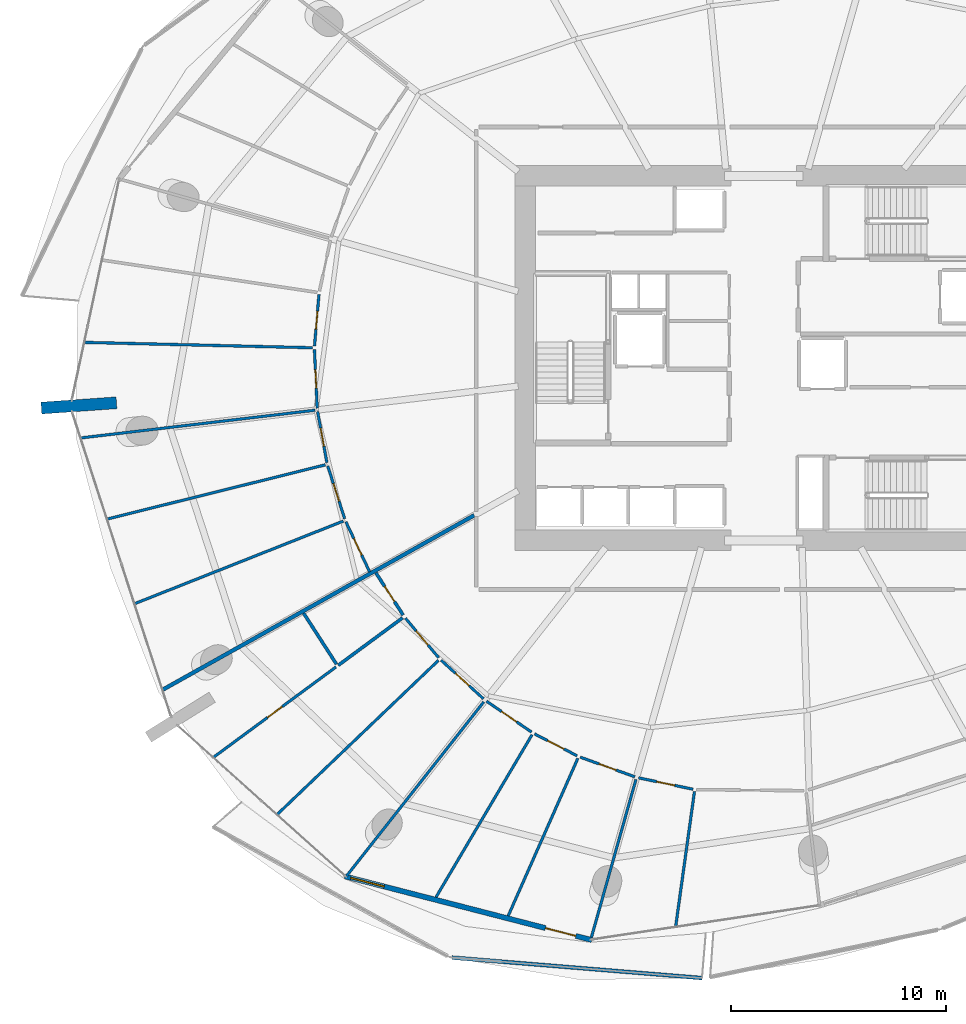
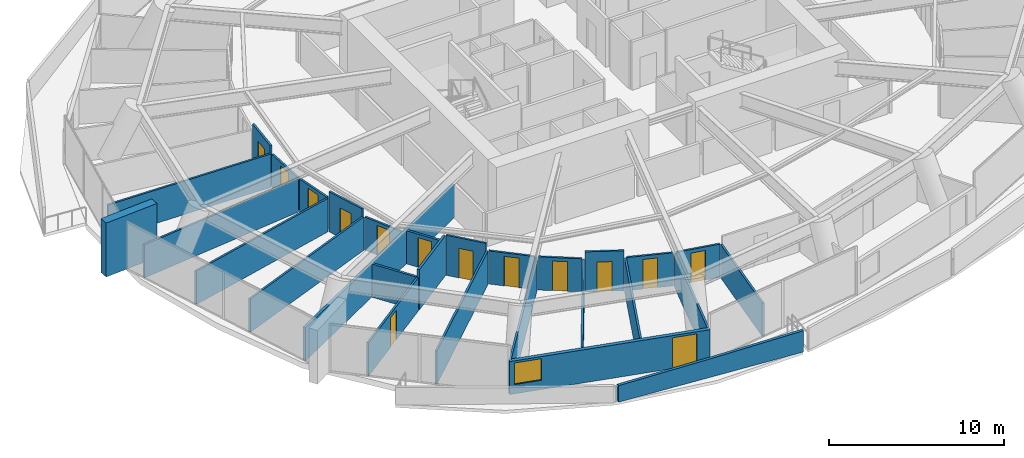
# One storey, part 18 of 31: 29 walls, 14 doors, 1 window, 15 openings.
"""IFC4 building model written with IfcOpenShell, lengths in metres."""

import ifcopenshell
import ifcopenshell.guid

model = None  # the IFC model being written
_history = None  # IfcOwnerHistory: only IFC2X3 demands one
_inside = {}  # id of a spatial element -> (the spatial element, [elements in it])
_under = {}  # id of a project, library or spatial element -> (it, [spatial elements below it])
_declared = {}  # id of a project -> (the project, [libraries it declares])
_typed = {}  # id of a type object -> (the type object, [elements of that type])
_made_of = {}  # id of a material, layer set ... -> (it, [elements and type objects made of it])


def new_model(schema):
    """Start an empty IFC model of exactly this schema.

    Asked for "IFC4X3", IfcOpenShell would pick the latest addendum, in which some entities
    have other attributes; the version numbers below select the first issue.
    IFC2X3 requires an IfcOwnerHistory on every rooted entity: one is made here for all.
    """
    global model, _history
    if schema == "IFC4X3":
        model = ifcopenshell.file(schema_version=(4, 3, 0, 0))
    else:
        model = ifcopenshell.file(schema=schema)
    _inside.clear()
    _under.clear()
    _declared.clear()
    _typed.clear()
    _made_of.clear()
    _history = None
    if model.schema == "IFC2X3":
        org = make("IfcOrganization", Name="unknown")
        user = make(
            "IfcPersonAndOrganization",
            ThePerson=make("IfcPerson", FamilyName="unknown"),
            TheOrganization=org,
        )
        app = make(
            "IfcApplication",
            ApplicationDeveloper=org,
            Version="unknown",
            ApplicationFullName="unknown",
            ApplicationIdentifier="unknown",
        )
        _history = make(
            "IfcOwnerHistory",
            OwningUser=user,
            OwningApplication=app,
            ChangeAction="ADDED",
            CreationDate=0,
        )
    return model


def make(cls, **values):
    """One entity of the class cls with the attributes given. An attribute that is None is left unset."""
    return model.create_entity(
        cls, **{name: value for name, value in values.items() if value is not None}
    )


def rooted(cls, **values):
    """An entity with a GlobalId (a new one), such as an element, a storey or a relation."""
    return make(cls, GlobalId=ifcopenshell.guid.new(), OwnerHistory=_history, **values)


def si_unit(unit_type, name, prefix=None):
    """IfcSIUnit, for example si_unit("LENGTHUNIT", "METRE", prefix="MILLI")."""
    return make("IfcSIUnit", UnitType=unit_type, Prefix=prefix, Name=name)


def assignment(units):
    """IfcUnitAssignment: the units of a project."""
    return None if units is None else make("IfcUnitAssignment", Units=units)


def point(xyz):
    """IfcCartesianPoint."""
    return None if xyz is None else make("IfcCartesianPoint", Coordinates=xyz)


def direction(xyz):
    """IfcDirection."""
    return None if xyz is None else make("IfcDirection", DirectionRatios=xyz)


def frame(location, z_axis=None, x_axis=None):
    """IfcAxis2Placement3D, a coordinate frame: its origin and axes. An axis left out is left unset."""
    return make(
        "IfcAxis2Placement3D",
        Location=point(location),
        Axis=direction(z_axis),
        RefDirection=direction(x_axis),
    )


def frame_2d(location, x_axis=None):
    """IfcAxis2Placement2D, a coordinate frame in the plane: its origin and x axis."""
    return make(
        "IfcAxis2Placement2D", Location=point(location), RefDirection=direction(x_axis)
    )


def origin():
    """The frame at (0, 0, 0) with its axes left unset."""
    return frame((0.0, 0.0, 0.0))


def place(relative_to, where):
    """IfcLocalPlacement: puts the frame where relative to a parent placement (None: the world)."""
    return make(
        "IfcLocalPlacement", PlacementRelTo=relative_to, RelativePlacement=where
    )


def context(
    kind, dimensions, precision=None, world=None, true_north=None, identifier=None
):
    """IfcGeometricRepresentationContext, for example the 3D "Model" context."""
    return make(
        "IfcGeometricRepresentationContext",
        ContextIdentifier=identifier,
        ContextType=kind,
        CoordinateSpaceDimension=dimensions,
        Precision=precision,
        WorldCoordinateSystem=world,
        TrueNorth=true_north,
    )


def subcontext(parent, identifier, kind, view, scale=None):
    """IfcGeometricRepresentationSubContext, for example "Body" below "Model"."""
    return make(
        "IfcGeometricRepresentationSubContext",
        ContextIdentifier=identifier,
        ContextType=kind,
        ParentContext=parent,
        TargetScale=scale,
        TargetView=view,
    )


def project(units=None, contexts=None):
    """IfcProject with its units and contexts."""
    return rooted(
        "IfcProject",
        Name="project",
        RepresentationContexts=contexts,
        UnitsInContext=assignment(units),
    )


def spatial(cls, under=None, at=None, **own):
    """A site, building, storey or space (cls), placed at a placement, below another one or the project."""
    s = rooted(cls, ObjectPlacement=at, **own)
    if under is not None:
        _under.setdefault(under.id(), (under, []))[1].append(s)
    return s


def polyline(points):
    """IfcPolyline through the points."""
    return make("IfcPolyline", Points=[point(p) for p in points])


def profile(cls, at=None, kind="AREA", **sizes):
    """A parametric profile (cls). Its sizes go by their IFC names, for example OverallWidth=200.0."""
    return make(cls, ProfileType=kind, Position=at, **sizes)


def rectangle(**sizes):
    """IfcRectangleProfileDef."""
    return profile("IfcRectangleProfileDef", **sizes)


def outline(outer, holes=None, kind="AREA"):
    """IfcArbitraryClosedProfileDef: a profile drawn as a closed curve; with holes, ...WithVoids."""
    if holes is None:
        return make("IfcArbitraryClosedProfileDef", ProfileType=kind, OuterCurve=outer)
    return make(
        "IfcArbitraryProfileDefWithVoids",
        ProfileType=kind,
        OuterCurve=outer,
        InnerCurves=holes,
    )


def extrude(swept, where, along, depth):
    """IfcExtrudedAreaSolid: the profile swept, set in the frame where, extruded along a direction by depth."""
    return make(
        "IfcExtrudedAreaSolid",
        SweptArea=swept,
        Position=where,
        ExtrudedDirection=direction(along),
        Depth=depth,
    )


def shape(context_of_items, identifier, shape_type, items):
    """IfcShapeRepresentation: the items that make up one representation, for example the "Body"."""
    return make(
        "IfcShapeRepresentation",
        ContextOfItems=context_of_items,
        RepresentationIdentifier=identifier,
        RepresentationType=shape_type,
        Items=items,
    )


def material(Name=None, Category=None):
    """IfcMaterial."""
    return make("IfcMaterial", Name=Name, Category=Category)


def layer(
    of_material, thickness, ventilated=None, Name=None, Category=None, Priority=None
):
    """IfcMaterialLayer: one layer of a wall or slab, of a material (None: an air gap)."""
    return make(
        "IfcMaterialLayer",
        Material=of_material,
        LayerThickness=thickness,
        IsVentilated=ventilated,
        Name=Name,
        Category=Category,
        Priority=Priority,
    )


def layer_set(layers, Name=None):
    """IfcMaterialLayerSet."""
    return make("IfcMaterialLayerSet", MaterialLayers=layers, LayerSetName=Name)


def made_of(thing, what):
    """Note that an element or type object is made of a material, layer set ...; save() writes the relation."""
    if what is not None:
        _made_of.setdefault(what.id(), (what, []))[1].append(thing)
    return thing


def type_object(cls, material=None, **own):
    """A type object (cls), such as IfcWallType, which elements share."""
    return made_of(rooted(cls, **own), material)


def element(
    cls,
    number,
    at=None,
    inside=None,
    cuts=None,
    type_object=None,
    material=None,
    context=None,
    identifier="Body",
    shape_type=None,
    held_by="IfcProductDefinitionShape",
    body=None,
    shapes=None,
    **own,
):
    """One element of the class cls, such as IfcWall. Its Tag is "e" and its number.

    at: its placement. inside: the storey or other place that contains it. cuts: it is an
    opening in that element (IfcRelVoidsElement). A single representation is given by context,
    identifier, shape_type and body (its items); several are given by shapes. held_by: the class
    of the entity that holds the representations. save() writes the other relations.
    """
    e = rooted(cls, Tag="e%d" % number, ObjectPlacement=at, **own)
    if body is not None:
        shapes = [shape(context, identifier, shape_type, body)]
    if shapes is not None:
        e.Representation = make(held_by, Representations=shapes)
    if inside is not None:
        _inside.setdefault(inside.id(), (inside, []))[1].append(e)
    if cuts is not None:
        rooted(
            "IfcRelVoidsElement", RelatingBuildingElement=cuts, RelatedOpeningElement=e
        )
    if type_object is not None:
        _typed.setdefault(type_object.id(), (type_object, []))[1].append(e)
    return made_of(e, material)


def fill(opening, filler):
    """IfcRelFillsElement: the door or window that sits in an opening."""
    return rooted(
        "IfcRelFillsElement",
        RelatingOpeningElement=opening,
        RelatedBuildingElement=filler,
    )


def aggregate(whole, parts):
    """IfcRelAggregates: a whole, such as a stair, and the parts it consists of."""
    return rooted("IfcRelAggregates", RelatingObject=whole, RelatedObjects=parts)


def save(model, path):
    """Write the relations noted so far, then the file.

    IfcRelAggregates (storeys below a building ...), IfcRelContainedInSpatialStructure (elements
    in a storey), IfcRelDefinesByType, IfcRelAssociatesMaterial and IfcRelDeclares: one each for
    every whole, place, type object, material and project.
    """
    for whole, parts in _under.values():
        aggregate(whole, parts)
    for where, things in _inside.values():
        rooted(
            "IfcRelContainedInSpatialStructure",
            RelatedElements=things,
            RelatingStructure=where,
        )
    for kind, things in _typed.values():
        rooted("IfcRelDefinesByType", RelatedObjects=things, RelatingType=kind)
    for what, things in _made_of.values():
        rooted("IfcRelAssociatesMaterial", RelatedObjects=things, RelatingMaterial=what)
    for by, libraries in _declared.values():
        rooted("IfcRelDeclares", RelatingContext=by, RelatedDefinitions=libraries)
    model.write(path)


model = new_model("IFC4")

# Units and contexts
model_context = context("Model", 3, precision=1e-05, world=origin(), true_north=direction((0.0, 1.0)))
body_context = subcontext(model_context, "Body", "Model", "MODEL_VIEW")
ifc_project = project(units=[si_unit("LENGTHUNIT", "METRE"), si_unit("AREAUNIT", "SQUARE_METRE"), si_unit("VOLUMEUNIT", "CUBIC_METRE"), si_unit("PLANEANGLEUNIT", "RADIAN"), si_unit("MASSUNIT", "GRAM", prefix="KILO")], contexts=[model_context])

# Site, building, storey
site_placement = place(None, origin())
site = spatial("IfcSite", under=ifc_project, at=site_placement, CompositionType="ELEMENT")
building_placement = place(site_placement, origin())
building = spatial("IfcBuilding", under=site, at=building_placement, Name="Kazma Halo Residences", CompositionType="ELEMENT")
storey_placement = place(building_placement, frame((0.0, 0.0, 71.39990234375)))
storey = spatial("IfcBuildingStorey", under=building, at=storey_placement, Name="L17", CompositionType="ELEMENT", Elevation=71.39990234375)

# Walls
ifc_material_1 = material(Name="White Concrete C50/60 Balustrade", Category="concrete")
ifc_layer_1 = layer(ifc_material_1, 0.179931640625)
ifc_layer_set_1 = layer_set([ifc_layer_1], Name="White Concrete C50/60 Balustrade")
wall_type_1 = type_object("IfcWallType", Name="WL-BAL-WAVE-180", PredefinedType="PARAPET", material=ifc_layer_set_1)
wall_1_placement = place(storey_placement, frame((33.923583984375, 14.12890625, 0.0), z_axis=(0.0, 0.0, 1.0), x_axis=(0.996665753963, -0.081592737892, 0.0)))
element("IfcWall", 1, at=wall_1_placement, inside=storey, type_object=wall_type_1, Name="L17 white wave balustrade wall SW.2", PredefinedType="PARAPET", context=body_context, shape_type="SweptSolid", body=[
    extrude(outline(polyline([(0.0, 0.0), (11.66943359375, 0.0), (11.669677734375, 1.483154296875), (5.8349609375, 1.2841796875), (0.0, 1.148193359375), (0.0, 0.0)])), frame((0.0, 0.08984375, 0.0), z_axis=(0.0, -1.0, 0.0), x_axis=(1.0, 0.0, 0.0)), (0.0, 0.0, 1.0), 0.179931640625),
])
ifc_material_2 = material(Name="Pale Concrete C60/75", Category="concrete")
ifc_layer_2 = layer(ifc_material_2, 0.550048828125)
ifc_layer_set_2 = layer_set([ifc_layer_2], Name="Pale Concrete C60/75")
wall_type_2 = type_object("IfcWallType", Name="WL-BLADE-550", PredefinedType="SOLIDWALL", material=ifc_layer_set_2)
wall_2_placement = place(storey_placement, frame((18.322021484375, 39.9248046875, 0.0), z_axis=(0.0, 0.0, 1.0), x_axis=(-0.997564163539, -0.069754853754, 0.0)))
element("IfcWall", 2, at=wall_2_placement, inside=storey, type_object=wall_type_2, Name="L17 pale concrete structural blade fin wall BW-02", PredefinedType="SOLIDWALL", context=body_context, shape_type="SweptSolid", body=[
    extrude(rectangle(XDim=3.5, YDim=0.550048828125, at=frame_2d((1.75, 0.0))), origin(), (0.0, 0.0, 1.0), 3.75),
])
ifc_material_3 = material(Name="Acoustic Twin-Stud Gypsum")
ifc_layer_3 = layer(ifc_material_3, 0.179931640625)
ifc_layer_set_3 = layer_set([ifc_layer_3], Name="Acoustic Twin-Stud Gypsum")
wall_type_3 = type_object("IfcWallType", Name="WL-DEM-180", PredefinedType="PARTITIONING", material=ifc_layer_set_3)
wall_3_placement = place(storey_placement, frame((34.9541015625, 34.694091796875, 0.0), z_axis=(0.0, 0.0, 1.0), x_axis=(-0.872493465611, -0.488625779577, 0.0)))
element("IfcWall", 3, at=wall_3_placement, inside=storey, type_object=wall_type_3, Name="L17 apartment demising radial wall 08", PredefinedType="PARTITIONING", context=body_context, shape_type="SweptSolid", body=[
    extrude(rectangle(XDim=16.586181640625, YDim=0.179931640625, at=frame_2d((8.29296875, 0.0))), origin(), (0.0, 0.0, 1.0), 2.30712890625),
])

# Wall, openings, door, window
ifc_material_4 = material(Name="Insulated Pale-Metal Composite Wall")
ifc_layer_4 = layer(ifc_material_4, 0.239990234375)
ifc_layer_set_4 = layer_set([ifc_layer_4], Name="Insulated Pale-Metal Composite Wall")
wall_type_4 = type_object("IfcWallType", Name="WL-EXT-HOST-240", PredefinedType="SOLIDWALL", material=ifc_layer_set_4)
wall_4_placement = place(storey_placement, frame((28.94580078125, 17.90380859375, 0.0), z_axis=(0.0, 0.0, 1.0), x_axis=(0.96833871487, -0.249640007378, 0.0)))
wall_4 = element("IfcWall", 4, at=wall_4_placement, inside=storey, type_object=wall_type_4, Name="L17 exterior terrace-access wall B10", PredefinedType="SOLIDWALL", context=body_context, shape_type="SweptSolid", body=[
    extrude(rectangle(XDim=11.85107421875, YDim=0.239990234375, at=frame_2d((5.925537109375, 0.0))), origin(), (0.0, 0.0, 1.0), 2.300048828125),
])
opening_1_placement = place(wall_4_placement, frame((9.631103515625, 0.0, 0.0)))
opening_1 = element("IfcOpeningElement", 5, at=opening_1_placement, cuts=wall_4, Name="Opening DTR-1600", PredefinedType="OPENING", context=body_context, shape_type="SweptSolid", body=[
    extrude(rectangle(XDim=1.449951171875, YDim=2.14990234375, at=frame_2d((0.72509765625, 1.074951171875))), frame((0.0, 0.1298828125, 0.0), z_axis=(0.0, -1.0, 0.0), x_axis=(1.0, 0.0, 0.0)), (0.0, 0.0, 1.0), 0.260009765625),
])
opening_2_placement = place(wall_4_placement, frame((0.280029296875, 0.0, 0.64990234375)))
opening_2 = element("IfcOpeningElement", 6, at=opening_2_placement, cuts=wall_4, Name="Opening W-1800", PredefinedType="OPENING", context=body_context, shape_type="SweptSolid", body=[
    extrude(rectangle(XDim=1.60009765625, YDim=1.5, at=frame_2d((0.800048828125, 0.75))), frame((0.0, 0.1298828125, 0.0), z_axis=(0.0, -1.0, 0.0), x_axis=(1.0, 0.0, 0.0)), (0.0, 0.0, 1.0), 0.260009765625),
])
ifc_material_5 = material(Name="Aluminium AW-6063 T6 Double-Glazed Terrace Door", Category="aluminium")
door_type_1 = type_object("IfcDoorType", Name="DR-EXT-TERR-1600", OperationType="NOTDEFINED", PredefinedType="DOOR", material=ifc_material_5)
door_1_placement = place(opening_1_placement, origin())
door_1 = element("IfcDoor", 7, at=door_1_placement, inside=storey, type_object=door_type_1, Name="L17 B10 balcony terrace door", OperationType="DOUBLE_DOOR_SLIDING", OverallHeight=2.14990234375, OverallWidth=1.449951171875, PredefinedType="DOOR", context=body_context, shape_type="SweptSolid", body=[
    extrude(rectangle(XDim=1.449951171875, YDim=2.14990234375, at=frame_2d((0.72509765625, 1.074951171875))), frame((0.0, 0.02490234375, 0.0), z_axis=(0.0, -1.0, 0.0), x_axis=(1.0, 0.0, 0.0)), (0.0, 0.0, 1.0), 0.050048828125),
])
fill(opening_1, door_1)
ifc_material_6 = material(Name="Clear Triple-Silver Low-E Glass in Aluminium AW-6063 T6 Frame", Category="aluminium")
window_type = type_object("IfcWindowType", Name="WIN-RES-1800", PartitioningType="DOUBLE_PANEL_VERTICAL", PredefinedType="WINDOW", material=ifc_material_6)
window_placement = place(opening_2_placement, origin())
window = element("IfcWindow", 8, at=window_placement, inside=storey, type_object=window_type, Name="L17 B10 apartment window", OverallHeight=1.5, OverallWidth=1.60009765625, PartitioningType="SINGLE_PANEL", PredefinedType="WINDOW", context=body_context, shape_type="SweptSolid", body=[
    extrude(rectangle(XDim=1.60009765625, YDim=1.5, at=frame_2d((0.800048828125, 0.75))), frame((0.0, 0.030029296875, 0.0), z_axis=(0.0, -1.0, 0.0), x_axis=(1.0, 0.0, 0.0)), (0.0, 0.0, 1.0), 0.06005859375),
])
fill(opening_2, window)

# Wall
ifc_material_7 = material(Name="Gypsum Plasterboard Partition")
ifc_layer_5 = layer(ifc_material_7, 0.125)
ifc_layer_set_5 = layer_set([ifc_layer_5], Name="Gypsum Plasterboard Partition")
wall_type_5 = type_object("IfcWallType", Name="WL-PART-125", PredefinedType="PARTITIONING", material=ifc_layer_set_5)
wall_5_placement = place(storey_placement, frame((27.4326171875, 42.484619140625, 0.0), z_axis=(0.0, 0.0, 1.0), x_axis=(-0.999722212563, 0.023568998875, 0.0)))
element("IfcWall", 9, at=wall_5_placement, inside=storey, type_object=wall_type_5, Name="L17 Apartment 1 bay wall 2 6", PredefinedType="PARTITIONING", context=body_context, shape_type="SweptSolid", body=[
    extrude(rectangle(XDim=10.58642578125, YDim=0.125, at=frame_2d((5.293212890625, 0.0))), origin(), (0.0, 0.0, 1.0), 2.3251953125),
])

# Wall, opening, door
wall_6_placement = place(storey_placement, frame((27.73779296875, 44.965576171875, 0.0), z_axis=(0.0, 0.0, 1.0), x_axis=(-0.086328274509, -0.996266745917, 0.0)))
wall_6 = element("IfcWall", 10, at=wall_6_placement, inside=storey, type_object=wall_type_5, Name="L17 Apartment 1 South Study hall wall", PredefinedType="PARTITIONING", context=body_context, shape_type="SweptSolid", body=[
    extrude(rectangle(XDim=2.412353515625, YDim=0.125, at=frame_2d((1.2060546875, 0.0))), origin(), (0.0, 0.0, 1.0), 2.7900390625),
])
opening_3_placement = place(wall_6_placement, frame((0.781005859375, 0.0, 0.0)))
opening_3 = element("IfcOpeningElement", 11, at=opening_3_placement, cuts=wall_6, Name="Opening DB-900", PredefinedType="OPENING", context=body_context, shape_type="SweptSolid", body=[
    extrude(rectangle(XDim=0.85009765625, YDim=2.06005859375, at=frame_2d((0.425048828125, 1.030029296875))), frame((0.0, 0.072509765625, 0.0), z_axis=(0.0, -1.0, 0.0), x_axis=(1.0, 0.0, 0.0)), (0.0, 0.0, 1.0), 0.14501953125),
])
ifc_material_8 = material(Name="Moisture-Sealed Timber Leaf", Category="wood")
door_type_2 = type_object("IfcDoorType", Name="DR-BTH-900", OperationType="NOTDEFINED", PredefinedType="DOOR", material=ifc_material_8)
door_2_placement = place(opening_3_placement, origin())
door_2 = element("IfcDoor", 12, at=door_2_placement, inside=storey, type_object=door_type_2, Name="L17 Apartment 1 South Study door", OperationType="SINGLE_SWING_RIGHT", OverallHeight=2.06005859375, OverallWidth=0.85009765625, PredefinedType="DOOR", context=body_context, shape_type="SweptSolid", body=[
    extrude(rectangle(XDim=0.85009765625, YDim=2.06005859375, at=frame_2d((0.425048828125, 1.030029296875))), frame((0.0, 0.02490234375, 0.0), z_axis=(0.0, -1.0, 0.0), x_axis=(1.0, 0.0, 0.0)), (0.0, 0.0, 1.0), 0.050048828125),
])
fill(opening_3, door_2)

wall_7_placement = place(storey_placement, frame((27.526611328125, 42.402587890625, 0.0), z_axis=(0.0, 0.0, 1.0), x_axis=(0.047072860468, -0.998891458472, 0.0)))
wall_7 = element("IfcWall", 13, at=wall_7_placement, inside=storey, type_object=wall_type_5, Name="L17 Apartment 1 Inner Master Bedroom hall wall", PredefinedType="PARTITIONING", context=body_context, shape_type="SweptSolid", body=[
    extrude(rectangle(XDim=2.733154296875, YDim=0.125, at=frame_2d((1.36669921875, 0.0))), origin(), (0.0, 0.0, 1.0), 2.30712890625),
])
opening_4_placement = place(wall_7_placement, frame((0.941650390625, 0.0, 0.0)))
opening_4 = element("IfcOpeningElement", 14, at=opening_4_placement, cuts=wall_7, Name="Opening DB-900", PredefinedType="OPENING", context=body_context, shape_type="SweptSolid", body=[
    extrude(rectangle(XDim=0.85009765625, YDim=2.06005859375, at=frame_2d((0.425048828125, 1.030029296875))), frame((0.0, 0.072509765625, 0.0), z_axis=(0.0, -1.0, 0.0), x_axis=(1.0, 0.0, 0.0)), (0.0, 0.0, 1.0), 0.14501953125),
])
door_3_placement = place(opening_4_placement, origin())
door_3 = element("IfcDoor", 15, at=door_3_placement, inside=storey, type_object=door_type_2, Name="L17 Apartment 1 Inner Master Bedroom door", OperationType="SINGLE_SWING_LEFT", OverallHeight=2.06005859375, OverallWidth=0.85009765625, PredefinedType="DOOR", context=body_context, shape_type="SweptSolid", body=[
    extrude(rectangle(XDim=0.85009765625, YDim=2.06005859375, at=frame_2d((0.425048828125, 1.030029296875))), frame((0.0, 0.02490234375, 0.0), z_axis=(0.0, -1.0, 0.0), x_axis=(1.0, 0.0, 0.0)), (0.0, 0.0, 1.0), 0.050048828125),
])
fill(opening_4, door_3)

# Walls
wall_8_placement = place(storey_placement, frame((27.559814453125, 39.580810546875, 0.0), z_axis=(0.0, 0.0, 1.0), x_axis=(-0.993067148518, -0.117548451854, 0.0)))
element("IfcWall", 16, at=wall_8_placement, inside=storey, type_object=wall_type_5, Name="L17 Apartment 1 radial partition 7", PredefinedType="PARTITIONING", context=body_context, shape_type="SweptSolid", body=[
    extrude(rectangle(XDim=10.955810546875, YDim=0.125, at=frame_2d((5.47802734375, 0.0))), origin(), (0.0, 0.0, 1.0), 2.30712890625),
])
wall_9_placement = place(storey_placement, frame((28.03369140625, 37.040283203125, 0.0), z_axis=(0.0, 0.0, 1.0), x_axis=(-0.970510155377, -0.241060237928, 0.0)))
element("IfcWall", 17, at=wall_9_placement, inside=storey, type_object=wall_type_5, Name="L17 Apartment 1 bay wall 1 7", PredefinedType="PARTITIONING", context=body_context, shape_type="SweptSolid", body=[
    extrude(rectangle(XDim=10.436767578125, YDim=0.125, at=frame_2d((5.21826171875, 0.0))), origin(), (0.0, 0.0, 1.0), 2.3251953125),
])
wall_10_placement = place(storey_placement, frame((28.87158203125, 34.426513671875, 0.0), z_axis=(0.0, 0.0, 1.0), x_axis=(-0.929776542834, -0.368124408855, 0.0)))
element("IfcWall", 18, at=wall_10_placement, inside=storey, type_object=wall_type_5, Name="L17 Apartment 1 bay wall 2 7", PredefinedType="PARTITIONING", context=body_context, shape_type="SweptSolid", body=[
    extrude(rectangle(XDim=10.420166015625, YDim=0.125, at=frame_2d((5.2099609375, 0.0))), origin(), (0.0, 0.0, 1.0), 2.3251953125),
])

# Wall, opening, door
wall_11_placement = place(storey_placement, frame((27.67333984375, 39.513916015625, 0.0), z_axis=(0.0, 0.0, 1.0), x_axis=(0.179642413558, -0.983731977345, 0.0)))
wall_11 = element("IfcWall", 19, at=wall_11_placement, inside=storey, type_object=wall_type_5, Name="L17 Apartment 1 Garden Bedroom hall wall", PredefinedType="PARTITIONING", context=body_context, shape_type="SweptSolid", body=[
    extrude(rectangle(XDim=2.412353515625, YDim=0.125, at=frame_2d((1.2060546875, 0.0))), origin(), (0.0, 0.0, 1.0), 2.30712890625),
])
opening_5_placement = place(wall_11_placement, frame((0.781005859375, 0.0, 0.0)))
opening_5 = element("IfcOpeningElement", 20, at=opening_5_placement, cuts=wall_11, Name="Opening DB-900", PredefinedType="OPENING", context=body_context, shape_type="SweptSolid", body=[
    extrude(rectangle(XDim=0.85009765625, YDim=2.06005859375, at=frame_2d((0.425048828125, 1.030029296875))), frame((0.0, 0.072509765625, 0.0), z_axis=(0.0, -1.0, 0.0), x_axis=(1.0, 0.0, 0.0)), (0.0, 0.0, 1.0), 0.14501953125),
])
door_4_placement = place(opening_5_placement, origin())
door_4 = element("IfcDoor", 21, at=door_4_placement, inside=storey, type_object=door_type_2, Name="L17 Apartment 1 Garden Bedroom door", OperationType="SINGLE_SWING_RIGHT", OverallHeight=2.06005859375, OverallWidth=0.85009765625, PredefinedType="DOOR", context=body_context, shape_type="SweptSolid", body=[
    extrude(rectangle(XDim=0.85009765625, YDim=2.06005859375, at=frame_2d((0.425048828125, 1.030029296875))), frame((0.0, 0.02490234375, 0.0), z_axis=(0.0, -1.0, 0.0), x_axis=(1.0, 0.0, 0.0)), (0.0, 0.0, 1.0), 0.050048828125),
])
fill(opening_5, door_4)

wall_12_placement = place(storey_placement, frame((28.1455078125, 36.98583984375, 0.0), z_axis=(0.0, 0.0, 1.0), x_axis=(0.305274947668, -0.952264252362, 0.0)))
wall_12 = element("IfcWall", 22, at=wall_12_placement, inside=storey, type_object=wall_type_5, Name="L17 Apartment 1 Sky Dressing Wardrobe hall wall", PredefinedType="PARTITIONING", context=body_context, shape_type="SweptSolid", body=[
    extrude(rectangle(XDim=2.57275390625, YDim=0.125, at=frame_2d((1.286376953125, 0.0))), origin(), (0.0, 0.0, 1.0), 2.7900390625),
])
opening_6_placement = place(wall_12_placement, frame((0.861328125, 0.0, 0.0)))
opening_6 = element("IfcOpeningElement", 23, at=opening_6_placement, cuts=wall_12, Name="Opening DB-900", PredefinedType="OPENING", context=body_context, shape_type="SweptSolid", body=[
    extrude(rectangle(XDim=0.85009765625, YDim=2.06005859375, at=frame_2d((0.425048828125, 1.030029296875))), frame((0.0, 0.072509765625, 0.0), z_axis=(0.0, -1.0, 0.0), x_axis=(1.0, 0.0, 0.0)), (0.0, 0.0, 1.0), 0.14501953125),
])
door_5_placement = place(opening_6_placement, origin())
door_5 = element("IfcDoor", 24, at=door_5_placement, inside=storey, type_object=door_type_2, Name="L17 Apartment 1 Sky Dressing Wardrobe door", OperationType="SINGLE_SWING_LEFT", OverallHeight=2.06005859375, OverallWidth=0.85009765625, PredefinedType="DOOR", context=body_context, shape_type="SweptSolid", body=[
    extrude(rectangle(XDim=0.85009765625, YDim=2.06005859375, at=frame_2d((0.425048828125, 1.030029296875))), frame((0.0, 0.02490234375, 0.0), z_axis=(0.0, -1.0, 0.0), x_axis=(1.0, 0.0, 0.0)), (0.0, 0.0, 1.0), 0.050048828125),
])
fill(opening_6, door_5)

wall_13_placement = place(storey_placement, frame((28.98974609375, 34.387451171875, 0.0), z_axis=(0.0, 0.0, 1.0), x_axis=(0.429399392499, -0.903114700202, 0.0)))
wall_13 = element("IfcWall", 25, at=wall_13_placement, inside=storey, type_object=wall_type_5, Name="L17 Apartment 1 Gulf Master Bedroom hall wall", PredefinedType="PARTITIONING", context=body_context, shape_type="SweptSolid", body=[
    extrude(rectangle(XDim=2.57275390625, YDim=0.125, at=frame_2d((1.286376953125, 0.0))), origin(), (0.0, 0.0, 1.0), 2.30712890625),
])
opening_7_placement = place(wall_13_placement, frame((0.861328125, 0.0, 0.0)))
opening_7 = element("IfcOpeningElement", 26, at=opening_7_placement, cuts=wall_13, Name="Opening DB-900", PredefinedType="OPENING", context=body_context, shape_type="SweptSolid", body=[
    extrude(rectangle(XDim=0.85009765625, YDim=2.06005859375, at=frame_2d((0.425048828125, 1.030029296875))), frame((0.0, 0.072509765625, 0.0), z_axis=(0.0, -1.0, 0.0), x_axis=(1.0, 0.0, 0.0)), (0.0, 0.0, 1.0), 0.14501953125),
])
door_6_placement = place(opening_7_placement, origin())
door_6 = element("IfcDoor", 27, at=door_6_placement, inside=storey, type_object=door_type_2, Name="L17 Apartment 1 Gulf Master Bedroom door", OperationType="SINGLE_SWING_RIGHT", OverallHeight=2.06005859375, OverallWidth=0.85009765625, PredefinedType="DOOR", context=body_context, shape_type="SweptSolid", body=[
    extrude(rectangle(XDim=0.85009765625, YDim=2.06005859375, at=frame_2d((0.425048828125, 1.030029296875))), frame((0.0, 0.02490234375, 0.0), z_axis=(0.0, -1.0, 0.0), x_axis=(1.0, 0.0, 0.0)), (0.0, 0.0, 1.0), 0.050048828125),
])
fill(opening_7, door_6)

wall_14_placement = place(storey_placement, frame((28.528564453125, 27.6416015625, 0.0), z_axis=(0.0, 0.0, 1.0), x_axis=(-0.804851782882, -0.593475869427, 0.0)))
wall_14 = element("IfcWall", 28, at=wall_14_placement, inside=storey, type_object=wall_type_5, Name="L17 Apartment 2 Household Store Room partition wall", PredefinedType="PARTITIONING", context=body_context, shape_type="SweptSolid", body=[
    extrude(rectangle(XDim=7.068603515625, YDim=0.125, at=frame_2d((3.5341796875, 0.0))), origin(), (0.0, 0.0, 1.0), 2.3251953125),
])
opening_8_placement = place(wall_14_placement, frame((3.109375, 0.0, 0.0)))
opening_8 = element("IfcOpeningElement", 29, at=opening_8_placement, cuts=wall_14, Name="Opening DB-900", PredefinedType="OPENING", context=body_context, shape_type="SweptSolid", body=[
    extrude(rectangle(XDim=0.85009765625, YDim=2.06005859375, at=frame_2d((0.425048828125, 1.030029296875))), frame((0.0, 0.072509765625, 0.0), z_axis=(0.0, -1.0, 0.0), x_axis=(1.0, 0.0, 0.0)), (0.0, 0.0, 1.0), 0.14501953125),
])
door_7_placement = place(opening_8_placement, origin())
door_7 = element("IfcDoor", 30, at=door_7_placement, inside=storey, type_object=door_type_2, Name="L17 Apartment 2 Household Store Room door", OperationType="SINGLE_SWING_LEFT", OverallHeight=2.06005859375, OverallWidth=0.85009765625, PredefinedType="DOOR", context=body_context, shape_type="SweptSolid", body=[
    extrude(rectangle(XDim=0.85009765625, YDim=2.06005859375, at=frame_2d((0.425048828125, 1.030029296875))), frame((0.0, 0.02490234375, 0.0), z_axis=(0.0, -1.0, 0.0), x_axis=(1.0, 0.0, 0.0)), (0.0, 0.0, 1.0), 0.050048828125),
])
fill(opening_8, door_7)

# Wall
wall_15_placement = place(storey_placement, frame((33.291259765625, 27.947021484375, 0.0), z_axis=(0.0, 0.0, 1.0), x_axis=(-0.72304195697, -0.690804117287, 0.0)))
element("IfcWall", 31, at=wall_15_placement, inside=storey, type_object=wall_type_5, Name="L17 Apartment 2 suite divider 8", PredefinedType="PARTITIONING", context=body_context, shape_type="SweptSolid", body=[
    extrude(rectangle(XDim=10.360107421875, YDim=0.125, at=frame_2d((5.18017578125, 0.0))), origin(), (0.0, 0.0, 1.0), 2.3251953125),
])

# Wall, opening, door
wall_16_placement = place(storey_placement, frame((31.75732421875, 29.9111328125, 0.0), z_axis=(0.0, 0.0, 1.0), x_axis=(0.643453951952, -0.76548482135, 0.0)))
wall_16 = element("IfcWall", 32, at=wall_16_placement, inside=storey, type_object=wall_type_5, Name="L17 Apartment 2 Gourmet Kitchen hall wall", PredefinedType="PARTITIONING", context=body_context, shape_type="SweptSolid", body=[
    extrude(rectangle(XDim=2.40478515625, YDim=0.125, at=frame_2d((1.202392578125, 0.0))), origin(), (0.0, 0.0, 1.0), 2.7900390625),
])
opening_9_placement = place(wall_16_placement, frame((0.77734375, 0.0, 0.0)))
opening_9 = element("IfcOpeningElement", 33, at=opening_9_placement, cuts=wall_16, Name="Opening DB-900", PredefinedType="OPENING", context=body_context, shape_type="SweptSolid", body=[
    extrude(rectangle(XDim=0.85009765625, YDim=2.06005859375, at=frame_2d((0.425048828125, 1.030029296875))), frame((0.0, 0.072509765625, 0.0), z_axis=(0.0, -1.0, 0.0), x_axis=(1.0, 0.0, 0.0)), (0.0, 0.0, 1.0), 0.14501953125),
])
door_8_placement = place(opening_9_placement, origin())
door_8 = element("IfcDoor", 34, at=door_8_placement, inside=storey, type_object=door_type_2, Name="L17 Apartment 2 Gourmet Kitchen door", OperationType="SINGLE_SWING_RIGHT", OverallHeight=2.06005859375, OverallWidth=0.85009765625, PredefinedType="DOOR", context=body_context, shape_type="SweptSolid", body=[
    extrude(rectangle(XDim=0.85009765625, YDim=2.06005859375, at=frame_2d((0.425048828125, 1.030029296875))), frame((0.0, 0.02490234375, 0.0), z_axis=(0.0, -1.0, 0.0), x_axis=(1.0, 0.0, 0.0)), (0.0, 0.0, 1.0), 0.050048828125),
])
fill(opening_9, door_8)

wall_17_placement = place(storey_placement, frame((33.41552734375, 27.955322265625, 0.0), z_axis=(0.0, 0.0, 1.0), x_axis=(0.739882041231, -0.672736623846, 0.0)))
wall_17 = element("IfcWall", 35, at=wall_17_placement, inside=storey, type_object=wall_type_5, Name="L17 Apartment 2 Master Bedroom hall wall", PredefinedType="PARTITIONING", context=body_context, shape_type="SweptSolid", body=[
    extrude(rectangle(XDim=2.665283203125, YDim=0.125, at=frame_2d((1.33251953125, 0.0))), origin(), (0.0, 0.0, 1.0), 2.30712890625),
])
opening_10_placement = place(wall_17_placement, frame((0.90771484375, 0.0, 0.0)))
opening_10 = element("IfcOpeningElement", 36, at=opening_10_placement, cuts=wall_17, Name="Opening DB-900", PredefinedType="OPENING", context=body_context, shape_type="SweptSolid", body=[
    extrude(rectangle(XDim=0.85009765625, YDim=2.06005859375, at=frame_2d((0.425048828125, 1.030029296875))), frame((0.0, 0.072509765625, 0.0), z_axis=(0.0, -1.0, 0.0), x_axis=(1.0, 0.0, 0.0)), (0.0, 0.0, 1.0), 0.14501953125),
])
door_9_placement = place(opening_10_placement, origin())
door_9 = element("IfcDoor", 37, at=door_9_placement, inside=storey, type_object=door_type_2, Name="L17 Apartment 2 Master Bedroom door", OperationType="SINGLE_SWING_LEFT", OverallHeight=2.06005859375, OverallWidth=0.85009765625, PredefinedType="DOOR", context=body_context, shape_type="SweptSolid", body=[
    extrude(rectangle(XDim=0.85009765625, YDim=2.06005859375, at=frame_2d((0.425048828125, 1.030029296875))), frame((0.0, 0.02490234375, 0.0), z_axis=(0.0, -1.0, 0.0), x_axis=(1.0, 0.0, 0.0)), (0.0, 0.0, 1.0), 0.050048828125),
])
fill(opening_10, door_9)

# Walls
wall_18_placement = place(storey_placement, frame((35.399658203125, 26.0166015625, 0.0), z_axis=(0.0, 0.0, 1.0), x_axis=(-0.619085809847, -0.785323347447, 0.0)))
element("IfcWall", 38, at=wall_18_placement, inside=storey, type_object=wall_type_5, Name="L17 Apartment 2 radial partition 9", PredefinedType="PARTITIONING", context=body_context, shape_type="SweptSolid", body=[
    extrude(rectangle(XDim=10.321533203125, YDim=0.125, at=frame_2d((5.16064453125, 0.0))), origin(), (0.0, 0.0, 1.0), 2.30712890625),
])
wall_19_placement = place(storey_placement, frame((37.64453125, 24.489990234375, 0.0), z_axis=(0.0, 0.0, 1.0), x_axis=(-0.509027353915, -0.860750342995, 0.0)))
element("IfcWall", 39, at=wall_19_placement, inside=storey, type_object=wall_type_5, Name="L17 Apartment 2 bay wall 1 9", PredefinedType="PARTITIONING", context=body_context, shape_type="SweptSolid", body=[
    extrude(rectangle(XDim=8.775146484375, YDim=0.125, at=frame_2d((4.3876953125, 0.0))), origin(), (0.0, 0.0, 1.0), 2.3251953125),
])
wall_20_placement = place(storey_placement, frame((39.7744140625, 23.394287109375, 0.0), z_axis=(0.0, 0.0, 1.0), x_axis=(-0.404337731406, -0.914609752278, 0.0)))
element("IfcWall", 40, at=wall_20_placement, inside=storey, type_object=wall_type_5, Name="L17 Apartment 2 bay wall 2 9", PredefinedType="PARTITIONING", context=body_context, shape_type="SweptSolid", body=[
    extrude(rectangle(XDim=8.00390625, YDim=0.125, at=frame_2d((4.001953125, 0.0))), origin(), (0.0, 0.0, 1.0), 2.3251953125),
])

# Wall, opening, door
wall_21_placement = place(storey_placement, frame((35.527587890625, 26.0498046875, 0.0), z_axis=(0.0, 0.0, 1.0), x_axis=(0.824845292223, -0.565358509176, 0.0)))
wall_21 = element("IfcWall", 41, at=wall_21_placement, inside=storey, type_object=wall_type_5, Name="L17 Apartment 2 North Bedroom hall wall", PredefinedType="PARTITIONING", context=body_context, shape_type="SweptSolid", body=[
    extrude(rectangle(XDim=2.542236328125, YDim=0.125, at=frame_2d((1.27099609375, 0.0))), origin(), (0.0, 0.0, 1.0), 2.30712890625),
])
opening_11_placement = place(wall_21_placement, frame((0.84619140625, 0.0, 0.0)))
opening_11 = element("IfcOpeningElement", 42, at=opening_11_placement, cuts=wall_21, Name="Opening DB-900", PredefinedType="OPENING", context=body_context, shape_type="SweptSolid", body=[
    extrude(rectangle(XDim=0.85009765625, YDim=2.06005859375, at=frame_2d((0.425048828125, 1.030029296875))), frame((0.0, 0.072509765625, 0.0), z_axis=(0.0, -1.0, 0.0), x_axis=(1.0, 0.0, 0.0)), (0.0, 0.0, 1.0), 0.14501953125),
])
door_10_placement = place(opening_11_placement, origin())
door_10 = element("IfcDoor", 43, at=door_10_placement, inside=storey, type_object=door_type_2, Name="L17 Apartment 2 North Bedroom door", OperationType="SINGLE_SWING_RIGHT", OverallHeight=2.06005859375, OverallWidth=0.85009765625, PredefinedType="DOOR", context=body_context, shape_type="SweptSolid", body=[
    extrude(rectangle(XDim=0.85009765625, YDim=2.06005859375, at=frame_2d((0.425048828125, 1.030029296875))), frame((0.0, 0.02490234375, 0.0), z_axis=(0.0, -1.0, 0.0), x_axis=(1.0, 0.0, 0.0)), (0.0, 0.0, 1.0), 0.050048828125),
])
fill(opening_11, door_10)

wall_22_placement = place(storey_placement, frame((37.761474609375, 24.53076171875, 0.0), z_axis=(0.0, 0.0, 1.0), x_axis=(0.889254643019, -0.45741248329, 0.0)))
wall_22 = element("IfcWall", 44, at=wall_22_placement, inside=storey, type_object=wall_type_5, Name="L17 Apartment 2 South Study hall wall", PredefinedType="PARTITIONING", context=body_context, shape_type="SweptSolid", body=[
    extrude(rectangle(XDim=2.224609375, YDim=0.125, at=frame_2d((1.1123046875, 0.0))), origin(), (0.0, 0.0, 1.0), 2.7900390625),
])
opening_12_placement = place(wall_22_placement, frame((0.687255859375, 0.0, 0.0)))
opening_12 = element("IfcOpeningElement", 45, at=opening_12_placement, cuts=wall_22, Name="Opening DB-900", PredefinedType="OPENING", context=body_context, shape_type="SweptSolid", body=[
    extrude(rectangle(XDim=0.85009765625, YDim=2.06005859375, at=frame_2d((0.425048828125, 1.030029296875))), frame((0.0, 0.072509765625, 0.0), z_axis=(0.0, -1.0, 0.0), x_axis=(1.0, 0.0, 0.0)), (0.0, 0.0, 1.0), 0.14501953125),
])
door_11_placement = place(opening_12_placement, origin())
door_11 = element("IfcDoor", 46, at=door_11_placement, inside=storey, type_object=door_type_2, Name="L17 Apartment 2 South Study door", OperationType="SINGLE_SWING_LEFT", OverallHeight=2.06005859375, OverallWidth=0.85009765625, PredefinedType="DOOR", context=body_context, shape_type="SweptSolid", body=[
    extrude(rectangle(XDim=0.85009765625, YDim=2.06005859375, at=frame_2d((0.425048828125, 1.030029296875))), frame((0.0, 0.02490234375, 0.0), z_axis=(0.0, -1.0, 0.0), x_axis=(1.0, 0.0, 0.0)), (0.0, 0.0, 1.0), 0.050048828125),
])
fill(opening_12, door_11)

wall_23_placement = place(storey_placement, frame((39.885986328125, 23.449462890625, 0.0), z_axis=(0.0, 0.0, 1.0), x_axis=(0.940865516668, -0.338780282109, 0.0)))
wall_23 = element("IfcWall", 47, at=wall_23_placement, inside=storey, type_object=wall_type_5, Name="L17 Apartment 2 Inner Bedroom hall wall", PredefinedType="PARTITIONING", context=body_context, shape_type="SweptSolid", body=[
    extrude(rectangle(XDim=2.700927734375, YDim=0.125, at=frame_2d((1.3505859375, 0.0))), origin(), (0.0, 0.0, 1.0), 2.30712890625),
])
opening_13_placement = place(wall_23_placement, frame((0.92529296875, 0.0, 0.0)))
opening_13 = element("IfcOpeningElement", 48, at=opening_13_placement, cuts=wall_23, Name="Opening DB-900", PredefinedType="OPENING", context=body_context, shape_type="SweptSolid", body=[
    extrude(rectangle(XDim=0.85009765625, YDim=2.06005859375, at=frame_2d((0.425048828125, 1.030029296875))), frame((0.0, 0.072509765625, 0.0), z_axis=(0.0, -1.0, 0.0), x_axis=(1.0, 0.0, 0.0)), (0.0, 0.0, 1.0), 0.14501953125),
])
door_12_placement = place(opening_13_placement, origin())
door_12 = element("IfcDoor", 49, at=door_12_placement, inside=storey, type_object=door_type_2, Name="L17 Apartment 2 Inner Bedroom door", OperationType="SINGLE_SWING_RIGHT", OverallHeight=2.06005859375, OverallWidth=0.85009765625, PredefinedType="DOOR", context=body_context, shape_type="SweptSolid", body=[
    extrude(rectangle(XDim=0.85009765625, YDim=2.06005859375, at=frame_2d((0.425048828125, 1.030029296875))), frame((0.0, 0.02490234375, 0.0), z_axis=(0.0, -1.0, 0.0), x_axis=(1.0, 0.0, 0.0)), (0.0, 0.0, 1.0), 0.050048828125),
])
fill(opening_13, door_12)

# Walls
wall_24_placement = place(storey_placement, frame((42.475341796875, 22.4111328125, 0.0), z_axis=(0.0, 0.0, 1.0), x_axis=(-0.271439615814, -0.96245547168, 0.0)))
element("IfcWall", 50, at=wall_24_placement, inside=storey, type_object=wall_type_5, Name="L17 Apartment 2 radial partition 10", PredefinedType="PARTITIONING", context=body_context, shape_type="SweptSolid", body=[
    extrude(rectangle(XDim=7.619140625, YDim=0.125, at=frame_2d((3.8095703125, 0.0))), origin(), (0.0, 0.0, 1.0), 2.30712890625),
])
wall_25_placement = place(storey_placement, frame((45.197021484375, 21.85107421875, 0.0), z_axis=(0.0, 0.0, 1.0), x_axis=(-0.137800451437, -0.990460012107, 0.0)))
element("IfcWall", 51, at=wall_25_placement, inside=storey, type_object=wall_type_5, Name="L17 Apartment 2 mid-bay wall 10", PredefinedType="PARTITIONING", context=body_context, shape_type="SweptSolid", body=[
    extrude(rectangle(XDim=6.335693359375, YDim=0.125, at=frame_2d((3.16796875, 0.0))), origin(), (0.0, 0.0, 1.0), 2.3251953125),
])

# Wall, opening, door
wall_26_placement = place(storey_placement, frame((42.600341796875, 22.48681640625, 0.0), z_axis=(0.0, 0.0, 1.0), x_axis=(0.978745691633, -0.205077719682, 0.0)))
wall_26 = element("IfcWall", 52, at=wall_26_placement, inside=storey, type_object=wall_type_5, Name="L17 Apartment 2 Outer Wine Pantry Store hall wall", PredefinedType="PARTITIONING", context=body_context, shape_type="SweptSolid", body=[
    extrude(rectangle(XDim=2.585693359375, YDim=0.125, at=frame_2d((1.29296875, 0.0))), origin(), (0.0, 0.0, 1.0), 2.30712890625),
])
opening_14_placement = place(wall_26_placement, frame((0.867919921875, 0.0, 0.0)))
opening_14 = element("IfcOpeningElement", 53, at=opening_14_placement, cuts=wall_26, Name="Opening DB-900", PredefinedType="OPENING", context=body_context, shape_type="SweptSolid", body=[
    extrude(rectangle(XDim=0.85009765625, YDim=2.06005859375, at=frame_2d((0.425048828125, 1.030029296875))), frame((0.0, 0.072509765625, 0.0), z_axis=(0.0, -1.0, 0.0), x_axis=(1.0, 0.0, 0.0)), (0.0, 0.0, 1.0), 0.14501953125),
])
door_13_placement = place(opening_14_placement, origin())
door_13 = element("IfcDoor", 54, at=door_13_placement, inside=storey, type_object=door_type_2, Name="L17 Apartment 2 Outer Wine Pantry Store door", OperationType="SINGLE_SWING_RIGHT", OverallHeight=2.06005859375, OverallWidth=0.85009765625, PredefinedType="DOOR", context=body_context, shape_type="SweptSolid", body=[
    extrude(rectangle(XDim=0.85009765625, YDim=2.06005859375, at=frame_2d((0.425048828125, 1.030029296875))), frame((0.0, 0.02490234375, 0.0), z_axis=(0.0, -1.0, 0.0), x_axis=(1.0, 0.0, 0.0)), (0.0, 0.0, 1.0), 0.050048828125),
])
fill(opening_14, door_13)

ifc_material_9 = material(Name="Moisture-Resistant Gypsum")
ifc_layer_6 = layer(ifc_material_9, 0.14990234375)
ifc_layer_set_6 = layer_set([ifc_layer_6], Name="Moisture-Resistant Gypsum")
wall_type_6 = type_object("IfcWallType", Name="WL-WET-150", PredefinedType="PARTITIONING", material=ifc_layer_set_6)
wall_27_placement = place(storey_placement, frame((30.383544921875, 32.02001953125, 0.0), z_axis=(0.0, 0.0, 1.0), x_axis=(0.542055500246, -0.84034268882, 0.0)))
wall_27 = element("IfcWall", 55, at=wall_27_placement, inside=storey, type_object=wall_type_6, Name="L17 Apartment 2 Guest Bathroom hall wall", PredefinedType="PARTITIONING", context=body_context, shape_type="SweptSolid", body=[
    extrude(rectangle(XDim=2.337646484375, YDim=0.14990234375, at=frame_2d((1.1689453125, 0.0))), origin(), (0.0, 0.0, 1.0), 2.30712890625),
])
opening_15_placement = place(wall_27_placement, frame((0.743896484375, 0.0, 0.0)))
opening_15 = element("IfcOpeningElement", 56, at=opening_15_placement, cuts=wall_27, Name="Opening DB-900", PredefinedType="OPENING", context=body_context, shape_type="SweptSolid", body=[
    extrude(rectangle(XDim=0.85009765625, YDim=2.06005859375, at=frame_2d((0.425048828125, 1.030029296875))), frame((0.0, 0.0849609375, 0.0), z_axis=(0.0, -1.0, 0.0), x_axis=(1.0, 0.0, 0.0)), (0.0, 0.0, 1.0), 0.169921875),
])
door_14_placement = place(opening_15_placement, origin())
door_14 = element("IfcDoor", 57, at=door_14_placement, inside=storey, type_object=door_type_2, Name="L17 Apartment 2 Guest Bathroom door", OperationType="SINGLE_SWING_RIGHT", OverallHeight=2.06005859375, OverallWidth=0.85009765625, PredefinedType="DOOR", context=body_context, shape_type="SweptSolid", body=[
    extrude(rectangle(XDim=0.85009765625, YDim=2.06005859375, at=frame_2d((0.425048828125, 1.030029296875))), frame((0.0, 0.02490234375, 0.0), z_axis=(0.0, -1.0, 0.0), x_axis=(1.0, 0.0, 0.0)), (0.0, 0.0, 1.0), 0.050048828125),
])
fill(opening_15, door_14)

# Walls
wall_28_placement = place(storey_placement, frame((27.0244140625, 30.138916015625, 0.0), z_axis=(0.0, 0.0, 1.0), x_axis=(0.542061750335, -0.840338657223, 0.0)))
element("IfcWall", 58, at=wall_28_placement, inside=storey, type_object=wall_type_6, Name="L17 Apartment 2 Guest Bathroom back wall", PredefinedType="PARTITIONING", context=body_context, shape_type="SweptSolid", body=[
    extrude(rectangle(XDim=2.818115234375, YDim=0.14990234375, at=frame_2d((1.4091796875, 0.0))), origin(), (0.0, 0.0, 1.0), 2.30712890625),
])
wall_29_placement = place(storey_placement, frame((31.627197265625, 29.9267578125, 0.0), z_axis=(0.0, 0.0, 1.0), x_axis=(-0.804824851799, -0.59351239071, 0.0)))
element("IfcWall", 59, at=wall_29_placement, inside=storey, type_object=wall_type_6, Name="L17 Apartment 2 Guest Bathroom side wall", PredefinedType="PARTITIONING", context=body_context, shape_type="SweptSolid", body=[
    extrude(rectangle(XDim=3.72021484375, YDim=0.14990234375, at=frame_2d((1.860107421875, 0.0))), origin(), (0.0, 0.0, 1.0), 2.7900390625),
])

save(model, "model.ifc")
